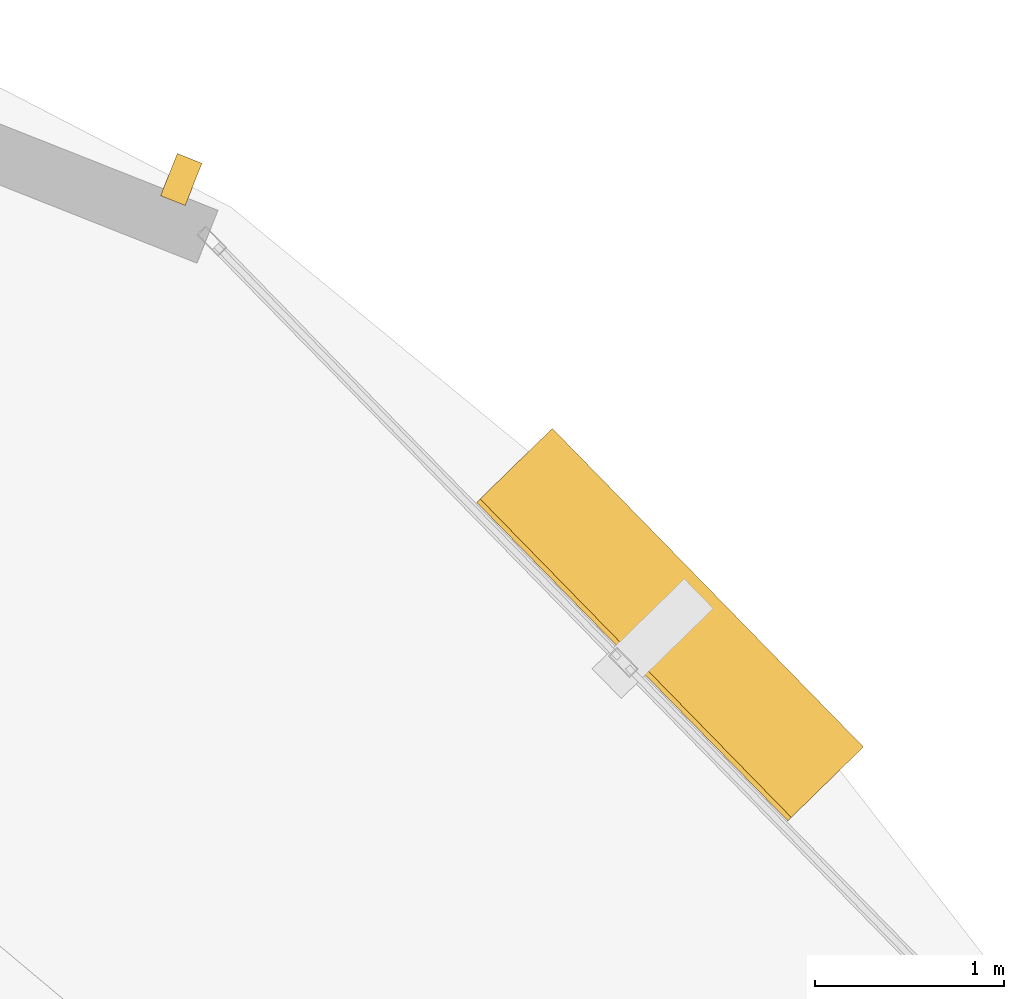
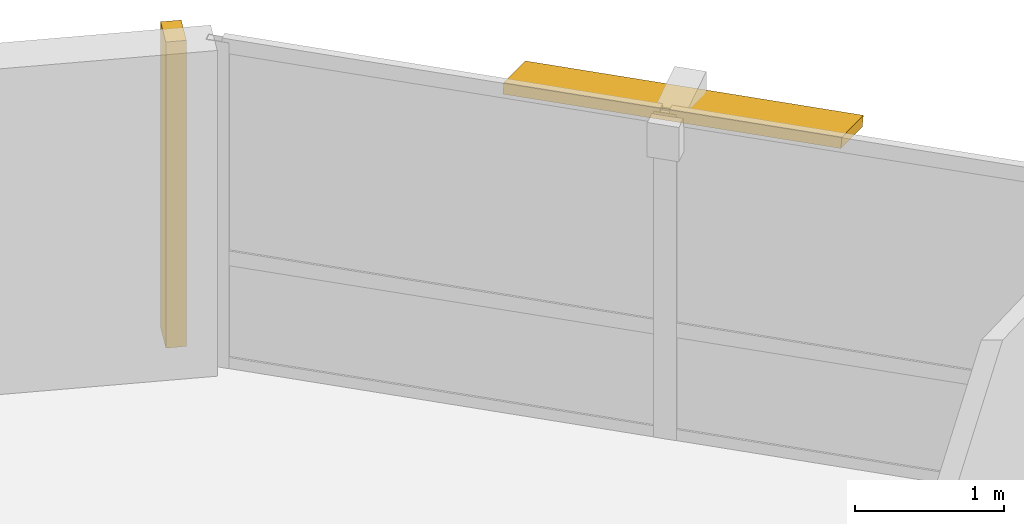
# One storey, part 15 of 15: 2 shading devices.
"""IFC4 building model written with IfcOpenShell, lengths in metres."""

from ifc_helpers import new_model, si_unit, direction, frame, origin, origin_2d, place, context, subcontext, project, spatial, rectangle, extrude, material, layer, layer_set, type_object, element, save


model = new_model("IFC4")

# Units and contexts
model_context = context("Model", 3, precision=1e-05, world=origin(), true_north=direction((0.0, 1.0)))
body_context = subcontext(model_context, "Body", "Model", "MODEL_VIEW")
ifc_project = project(units=[si_unit("LENGTHUNIT", "METRE"), si_unit("AREAUNIT", "SQUARE_METRE"), si_unit("VOLUMEUNIT", "CUBIC_METRE"), si_unit("PLANEANGLEUNIT", "RADIAN"), si_unit("MASSUNIT", "GRAM", prefix="KILO"), si_unit("THERMODYNAMICTEMPERATUREUNIT", "KELVIN"), si_unit("POWERUNIT", "WATT")], contexts=[model_context])

# Site, building, storey
site_placement = place(None, origin())
site = spatial("IfcSite", under=ifc_project, at=site_placement, CompositionType="ELEMENT")
building_placement = place(site_placement, origin())
building = spatial("IfcBuilding", under=site, at=building_placement, Name="Ocrelia Relay Tower", CompositionType="ELEMENT")
storey_placement = place(building_placement, frame((0.0, 0.0, 166.39990234375)))
storey = spatial("IfcBuildingStorey", under=building, at=storey_placement, Name="L39", CompositionType="ELEMENT", Elevation=166.39990234375)

# Shading devices
ifc_material_1 = material(Name="Extruded oxide terracotta vertical baguette", Category="masonry")
shading_device_type_1 = type_object("IfcShadingDeviceType", Name="SH-TERR-BAGUETTE", PredefinedType="USERDEFINED", material=ifc_material_1)
shading_device_1_placement = place(storey_placement, frame((49.455078125, 42.970703125, 0.080078125), z_axis=(0.0, 0.0, 1.0), x_axis=(-0.929736094537, 0.368226553246, 0.0)))
element("IfcShadingDevice", 1, at=shading_device_1_placement, inside=storey, type_object=shading_device_type_1, Name="L39 Oxide Terracotta Vertical Baguette 02", ObjectType="BAGUETTE", PredefinedType="USERDEFINED", context=body_context, shape_type="SweptSolid", body=[
    extrude(rectangle(XDim=0.139892578125, YDim=0.239990234375, at=origin_2d()), origin(), (0.0, 0.0, 1.0), 2.5),
])
ifc_material_2 = material(Name="Extruded oxide terracotta fin", Category="masonry")
ifc_layer = layer(ifc_material_2, 0.080078125, Name="Extruded oxide terracotta fin")
ifc_layer_set = layer_set([ifc_layer], Name="Extruded oxide terracotta fin")
shading_device_type_2 = type_object("IfcShadingDeviceType", Name="SH-VISOR-FIN-SHAL", PredefinedType="USERDEFINED", material=ifc_layer_set)
shading_device_2_placement = place(storey_placement, frame((52.02587890625, 40.612060546875, 2.462158203125), z_axis=(0.229579676254, 0.224272095739, 0.947098304995), x_axis=(-0.698789721576, 0.715327145451, 0.0)))
element("IfcShadingDevice", 2, at=shading_device_2_placement, inside=storey, type_object=shading_device_type_2, Name="L39 Canted Terracotta Sun-Visor Fin 01", ObjectType="FIN", PredefinedType="USERDEFINED", context=body_context, shape_type="SweptSolid", body=[
    extrude(rectangle(XDim=2.35009765625, YDim=0.56201171875, at=origin_2d()), origin(), (0.0, 0.0, 1.0), 0.080078125),
])

save(model, "model.ifc")
